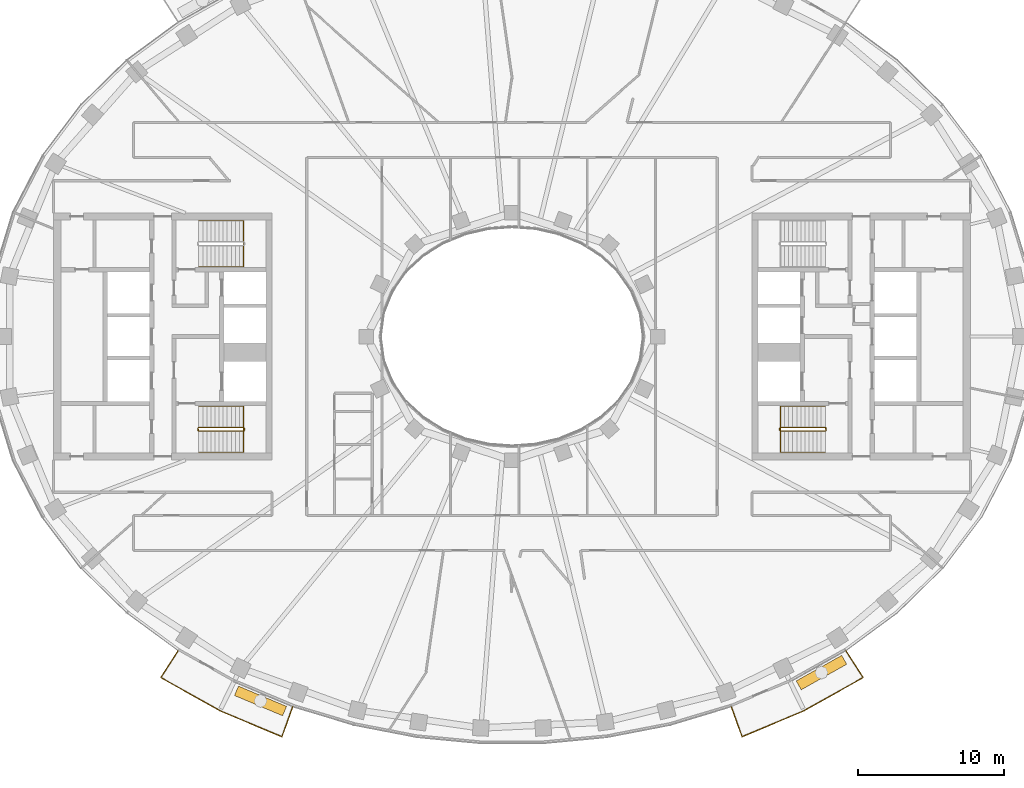
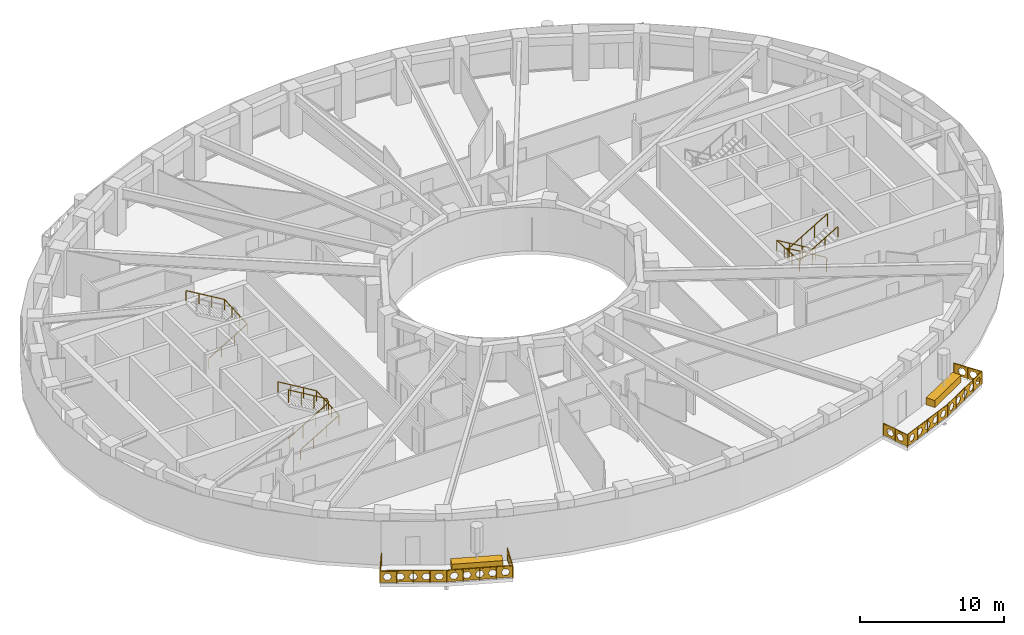
# One storey, part 13 of 15: 7 railings, 2 coverings.
"""IFC4 building model written with IfcOpenShell, lengths in metres."""

from ifc_helpers import new_model, si_unit, direction, frame, origin, origin_2d, place, context, subcontext, project, spatial, polyline, rectangle, outline, extrude, material, type_object, element, save


model = new_model("IFC4")

# Units and contexts
model_context = context("Model", 3, precision=1e-05, world=origin(), true_north=direction((0.0, 1.0)))
body_context = subcontext(model_context, "Body", "Model", "MODEL_VIEW")
ifc_project = project(units=[si_unit("LENGTHUNIT", "METRE"), si_unit("AREAUNIT", "SQUARE_METRE"), si_unit("VOLUMEUNIT", "CUBIC_METRE"), si_unit("PLANEANGLEUNIT", "RADIAN"), si_unit("MASSUNIT", "GRAM", prefix="KILO")], contexts=[model_context])

# Site, building, storey
site_placement = place(None, origin())
site = spatial("IfcSite", under=ifc_project, at=site_placement, CompositionType="ELEMENT")
building_placement = place(site_placement, origin())
building = spatial("IfcBuilding", under=site, at=building_placement, Name="Noorbagh Ring Tower", CompositionType="ELEMENT")
storey_placement = place(building_placement, frame((0.0, 0.0, 253.5)))
storey = spatial("IfcBuildingStorey", under=building, at=storey_placement, Name="L53", CompositionType="ELEMENT", Elevation=253.5)

# Railings
ifc_material_1 = material(Name="Stainless steel", Category="steel")
railing_type_1 = type_object("IfcRailingType", Name="CORE-STAIR-GUARD", PredefinedType="GUARDRAIL", material=ifc_material_1)
railing_1_placement = place(storey_placement, frame((-21.580078125, -6.449951171875, 0.0)))
element("IfcRailing", 1, at=railing_1_placement, inside=storey, type_object=railing_type_1, Name="L53 ST2 stair guard", PredefinedType="GUARDRAIL", context=body_context, shape_type="SweptSolid", body=[
    extrude(rectangle(XDim=0.048095703125, YDim=0.048095703125, at=origin_2d()), frame((0.0, 0.0, 1.076171875), z_axis=(0.0, 1.0, 0.0), x_axis=(-1.0, 0.0, 0.0)), (0.0, 0.0, 1.0), 0.14990234375),
    extrude(rectangle(XDim=0.048095703125, YDim=0.048095703125, at=origin_2d()), frame((0.0, 0.14990234375, 1.076171875), z_axis=(0.188775798145, -0.754182335027, 0.628945707965), x_axis=(0.970072785993, 0.242814311512, 0.0)), (0.0, 0.0, 1.0), 0.26513671875),
    extrude(rectangle(XDim=0.048095703125, YDim=0.048095703125, at=origin_2d()), frame((0.050048828125, -0.050048828125, 1.24267578125), z_axis=(0.859308565015, 0.0, 0.511457515432), x_axis=(0.0, 1.0, 0.0)), (0.0, 0.0, 1.0), 3.58447265625),
    extrude(rectangle(XDim=0.048095703125, YDim=0.048095703125, at=origin_2d()), frame((3.130126953125, -0.050048828125, 3.076171875), z_axis=(0.707106781187, 0.707106781187, 0.0), x_axis=(-0.707106781187, 0.707106781187, 0.0)), (0.0, 0.0, 1.0), 0.07080078125),
    extrude(rectangle(XDim=0.048095703125, YDim=0.048095703125, at=origin_2d()), frame((3.18017578125, 0.0, 3.076171875), z_axis=(0.0, 1.0, 0.0), x_axis=(-1.0, 0.0, 0.0)), (0.0, 0.0, 1.0), 0.14990234375),
    extrude(rectangle(XDim=0.048095703125, YDim=0.048095703125, at=origin_2d()), frame((3.18017578125, 0.14990234375, 3.076171875), z_axis=(-0.27628659633, 0.27628659633, 0.920506074601), x_axis=(-0.707106781187, -0.707106781187, 0.0)), (0.0, 0.0, 1.0), 0.18115234375),
    extrude(rectangle(XDim=0.048095703125, YDim=0.048095703125, at=origin_2d()), frame((3.130126953125, 0.199951171875, 3.24267578125), z_axis=(-0.859308565015, 0.0, 0.511457515432), x_axis=(0.0, -1.0, 0.0)), (0.0, 0.0, 1.0), 3.58447265625),
    extrude(rectangle(XDim=0.0419921875, YDim=0.0419921875, at=origin_2d()), origin(), (0.0, 0.0, 1.0), 1.052001953125),
    extrude(rectangle(XDim=0.0419921875, YDim=0.0419921875, at=origin_2d()), frame((1.07666015625, -0.050048828125, 0.77783203125)), (0.0, 0.0, 1.0), 1.052001953125),
    extrude(rectangle(XDim=0.0419921875, YDim=0.0419921875, at=origin_2d()), frame((2.103515625, -0.050048828125, 1.388916015625)), (0.0, 0.0, 1.0), 1.052001953125),
    extrude(rectangle(XDim=0.0419921875, YDim=0.0419921875, at=origin_2d()), frame((3.130126953125, -0.050048828125, 2.0)), (0.0, 0.0, 1.0), 1.052001953125),
    extrude(rectangle(XDim=0.0419921875, YDim=0.0419921875, at=origin_2d()), frame((3.130126953125, 0.199951171875, 2.166748046875)), (0.0, 0.0, 1.0), 1.052001953125),
    extrude(rectangle(XDim=0.0419921875, YDim=0.0419921875, at=origin_2d()), frame((2.103515625, 0.199951171875, 2.77783203125)), (0.0, 0.0, 1.0), 1.052001953125),
    extrude(rectangle(XDim=0.0419921875, YDim=0.0419921875, at=origin_2d()), frame((1.07666015625, 0.199951171875, 3.388916015625)), (0.0, 0.0, 1.0), 1.052001953125),
    extrude(rectangle(XDim=0.0419921875, YDim=0.0419921875, at=origin_2d()), frame((0.050048828125, 0.199951171875, 4.0)), (0.0, 0.0, 1.0), 1.052001953125),
])
railing_2_placement = place(storey_placement, frame((21.580078125, -6.300048828125, 0.0)))
element("IfcRailing", 2, at=railing_2_placement, inside=storey, type_object=railing_type_1, Name="L53 ST4 stair guard", PredefinedType="GUARDRAIL", context=body_context, shape_type="SweptSolid", body=[
    extrude(rectangle(XDim=0.048095703125, YDim=0.048095703125, at=origin_2d()), frame((0.0, 0.0, 1.076171875), z_axis=(0.0, -1.0, 0.0), x_axis=(1.0, 0.0, 0.0)), (0.0, 0.0, 1.0), 0.14990234375),
    extrude(rectangle(XDim=0.048095703125, YDim=0.048095703125, at=origin_2d()), frame((0.0, -0.14990234375, 1.076171875), z_axis=(-0.188775798145, 0.754182335027, 0.628945707965), x_axis=(-0.970072785993, -0.242814311512, 0.0)), (0.0, 0.0, 1.0), 0.26513671875),
    extrude(rectangle(XDim=0.048095703125, YDim=0.048095703125, at=origin_2d()), frame((-0.050048828125, 0.050048828125, 1.24267578125), z_axis=(-0.859308565015, 0.0, 0.511457515432), x_axis=(0.0, -1.0, 0.0)), (0.0, 0.0, 1.0), 3.58447265625),
    extrude(rectangle(XDim=0.048095703125, YDim=0.048095703125, at=origin_2d()), frame((-3.130126953125, 0.050048828125, 3.076171875), z_axis=(-0.707106781187, -0.707106781187, 0.0), x_axis=(0.707106781187, -0.707106781187, 0.0)), (0.0, 0.0, 1.0), 0.07080078125),
    extrude(rectangle(XDim=0.048095703125, YDim=0.048095703125, at=origin_2d()), frame((-3.18017578125, 0.0, 3.076171875), z_axis=(0.0, -1.0, 0.0), x_axis=(1.0, 0.0, 0.0)), (0.0, 0.0, 1.0), 0.14990234375),
    extrude(rectangle(XDim=0.048095703125, YDim=0.048095703125, at=origin_2d()), frame((-3.18017578125, -0.14990234375, 3.076171875), z_axis=(0.27628659633, -0.27628659633, 0.920506074601), x_axis=(0.707106781187, 0.707106781187, 0.0)), (0.0, 0.0, 1.0), 0.18115234375),
    extrude(rectangle(XDim=0.048095703125, YDim=0.048095703125, at=origin_2d()), frame((-3.130126953125, -0.199951171875, 3.24267578125), z_axis=(0.859308565015, 0.0, 0.511457515432), x_axis=(0.0, 1.0, 0.0)), (0.0, 0.0, 1.0), 3.58447265625),
    extrude(rectangle(XDim=0.0419921875, YDim=0.0419921875, at=origin_2d()), origin(), (0.0, 0.0, 1.0), 1.052001953125),
    extrude(rectangle(XDim=0.0419921875, YDim=0.0419921875, at=origin_2d()), frame((-1.07666015625, 0.050048828125, 0.77783203125)), (0.0, 0.0, 1.0), 1.052001953125),
    extrude(rectangle(XDim=0.0419921875, YDim=0.0419921875, at=origin_2d()), frame((-2.103515625, 0.050048828125, 1.388916015625)), (0.0, 0.0, 1.0), 1.052001953125),
    extrude(rectangle(XDim=0.0419921875, YDim=0.0419921875, at=origin_2d()), frame((-3.130126953125, 0.050048828125, 2.0)), (0.0, 0.0, 1.0), 1.052001953125),
    extrude(rectangle(XDim=0.0419921875, YDim=0.0419921875, at=origin_2d()), frame((-3.130126953125, -0.199951171875, 2.166748046875)), (0.0, 0.0, 1.0), 1.052001953125),
    extrude(rectangle(XDim=0.0419921875, YDim=0.0419921875, at=origin_2d()), frame((-2.103515625, -0.199951171875, 2.77783203125)), (0.0, 0.0, 1.0), 1.052001953125),
    extrude(rectangle(XDim=0.0419921875, YDim=0.0419921875, at=origin_2d()), frame((-1.07666015625, -0.199951171875, 3.388916015625)), (0.0, 0.0, 1.0), 1.052001953125),
    extrude(rectangle(XDim=0.0419921875, YDim=0.0419921875, at=origin_2d()), frame((-0.050048828125, -0.199951171875, 4.0)), (0.0, 0.0, 1.0), 1.052001953125),
])
ifc_material_2 = material(Name="Stainless steel", Category="steel")
railing_type_2 = type_object("IfcRailingType", Name="CORE-STAIR-HANDRAIL", PredefinedType="HANDRAIL", material=ifc_material_2)
railing_3_placement = place(storey_placement, frame((-21.530029296875, 4.800048828125, 0.166748046875)))
element("IfcRailing", 3, at=railing_3_placement, inside=storey, type_object=railing_type_2, Name="L53 ST1 stair handrail", PredefinedType="HANDRAIL", context=body_context, shape_type="SweptSolid", body=[
    extrude(rectangle(XDim=0.048095703125, YDim=0.048095703125, at=origin_2d()), frame((0.0, 0.0, 0.8759765625), z_axis=(0.859308565015, 0.0, 0.511457515432), x_axis=(0.0, 1.0, 0.0)), (0.0, 0.0, 1.0), 3.58447265625),
    extrude(rectangle(XDim=0.048095703125, YDim=0.048095703125, at=origin_2d()), frame((3.080078125, 0.0, 2.708984375), z_axis=(0.0, 0.998601747152, 0.052863509014), x_axis=(-1.0, 0.0, 0.0)), (0.0, 0.0, 1.0), 3.154296875),
    extrude(rectangle(XDim=0.048095703125, YDim=0.048095703125, at=origin_2d()), frame((3.080078125, 3.14990234375, 2.8759765625), z_axis=(-0.859308565015, 0.0, 0.511457515432), x_axis=(0.0, -1.0, 0.0)), (0.0, 0.0, 1.0), 3.58447265625),
    extrude(rectangle(XDim=0.0419921875, YDim=0.0419921875, at=origin_2d()), origin(), (0.0, 0.0, 1.0), 0.851806640625),
    extrude(rectangle(XDim=0.0419921875, YDim=0.0419921875, at=origin_2d()), frame((1.026611328125, 0.0, 0.611083984375)), (0.0, 0.0, 1.0), 0.851806640625),
    extrude(rectangle(XDim=0.0419921875, YDim=0.0419921875, at=origin_2d()), frame((2.053466796875, 0.0, 1.22216796875)), (0.0, 0.0, 1.0), 0.851806640625),
    extrude(rectangle(XDim=0.0419921875, YDim=0.0419921875, at=origin_2d()), frame((3.080078125, 0.0, 1.833251953125)), (0.0, 0.0, 1.0), 0.851806640625),
    extrude(rectangle(XDim=0.0419921875, YDim=0.0419921875, at=origin_2d()), frame((3.080078125, 1.050048828125, 1.888916015625)), (0.0, 0.0, 1.0), 0.851806640625),
    extrude(rectangle(XDim=0.0419921875, YDim=0.0419921875, at=origin_2d()), frame((3.080078125, 2.099853515625, 1.9443359375)), (0.0, 0.0, 1.0), 0.851806640625),
    extrude(rectangle(XDim=0.0419921875, YDim=0.0419921875, at=origin_2d()), frame((3.080078125, 3.14990234375, 2.0)), (0.0, 0.0, 1.0), 0.851806640625),
    extrude(rectangle(XDim=0.0419921875, YDim=0.0419921875, at=origin_2d()), frame((2.053466796875, 3.14990234375, 2.611083984375)), (0.0, 0.0, 1.0), 0.851806640625),
    extrude(rectangle(XDim=0.0419921875, YDim=0.0419921875, at=origin_2d()), frame((1.026611328125, 3.14990234375, 3.22216796875)), (0.0, 0.0, 1.0), 0.851806640625),
    extrude(rectangle(XDim=0.0419921875, YDim=0.0419921875, at=origin_2d()), frame((0.0, 3.14990234375, 3.833251953125)), (0.0, 0.0, 1.0), 0.851806640625),
])
railing_4_placement = place(storey_placement, frame((-21.530029296875, -7.949951171875, 0.166748046875)))
element("IfcRailing", 4, at=railing_4_placement, inside=storey, type_object=railing_type_2, Name="L53 ST2 stair handrail", PredefinedType="HANDRAIL", context=body_context, shape_type="SweptSolid", body=[
    extrude(rectangle(XDim=0.048095703125, YDim=0.048095703125, at=origin_2d()), frame((0.0, 0.0, 0.8759765625), z_axis=(0.859308565015, 0.0, 0.511457515432), x_axis=(0.0, 1.0, 0.0)), (0.0, 0.0, 1.0), 3.58447265625),
    extrude(rectangle(XDim=0.048095703125, YDim=0.048095703125, at=origin_2d()), frame((3.080078125, 0.0, 2.708984375), z_axis=(0.0, 0.998601747152, 0.052863509014), x_axis=(-1.0, 0.0, 0.0)), (0.0, 0.0, 1.0), 3.154296875),
    extrude(rectangle(XDim=0.048095703125, YDim=0.048095703125, at=origin_2d()), frame((3.080078125, 3.14990234375, 2.8759765625), z_axis=(-0.859308565015, 0.0, 0.511457515432), x_axis=(0.0, -1.0, 0.0)), (0.0, 0.0, 1.0), 3.58447265625),
    extrude(rectangle(XDim=0.0419921875, YDim=0.0419921875, at=origin_2d()), origin(), (0.0, 0.0, 1.0), 0.851806640625),
    extrude(rectangle(XDim=0.0419921875, YDim=0.0419921875, at=origin_2d()), frame((1.026611328125, 0.0, 0.611083984375)), (0.0, 0.0, 1.0), 0.851806640625),
    extrude(rectangle(XDim=0.0419921875, YDim=0.0419921875, at=origin_2d()), frame((2.053466796875, 0.0, 1.22216796875)), (0.0, 0.0, 1.0), 0.851806640625),
    extrude(rectangle(XDim=0.0419921875, YDim=0.0419921875, at=origin_2d()), frame((3.080078125, 0.0, 1.833251953125)), (0.0, 0.0, 1.0), 0.851806640625),
    extrude(rectangle(XDim=0.0419921875, YDim=0.0419921875, at=origin_2d()), frame((3.080078125, 1.050048828125, 1.888916015625)), (0.0, 0.0, 1.0), 0.851806640625),
    extrude(rectangle(XDim=0.0419921875, YDim=0.0419921875, at=origin_2d()), frame((3.080078125, 2.099853515625, 1.9443359375)), (0.0, 0.0, 1.0), 0.851806640625),
    extrude(rectangle(XDim=0.0419921875, YDim=0.0419921875, at=origin_2d()), frame((3.080078125, 3.14990234375, 2.0)), (0.0, 0.0, 1.0), 0.851806640625),
    extrude(rectangle(XDim=0.0419921875, YDim=0.0419921875, at=origin_2d()), frame((2.053466796875, 3.14990234375, 2.611083984375)), (0.0, 0.0, 1.0), 0.851806640625),
    extrude(rectangle(XDim=0.0419921875, YDim=0.0419921875, at=origin_2d()), frame((1.026611328125, 3.14990234375, 3.22216796875)), (0.0, 0.0, 1.0), 0.851806640625),
    extrude(rectangle(XDim=0.0419921875, YDim=0.0419921875, at=origin_2d()), frame((0.0, 3.14990234375, 3.833251953125)), (0.0, 0.0, 1.0), 0.851806640625),
])
railing_5_placement = place(storey_placement, frame((21.530029296875, -4.800048828125, 0.166748046875)))
element("IfcRailing", 5, at=railing_5_placement, inside=storey, type_object=railing_type_2, Name="L53 ST4 stair handrail", PredefinedType="HANDRAIL", context=body_context, shape_type="SweptSolid", body=[
    extrude(rectangle(XDim=0.048095703125, YDim=0.048095703125, at=origin_2d()), frame((0.0, 0.0, 0.8759765625), z_axis=(-0.859308565015, 0.0, 0.511457515432), x_axis=(0.0, -1.0, 0.0)), (0.0, 0.0, 1.0), 3.58447265625),
    extrude(rectangle(XDim=0.048095703125, YDim=0.048095703125, at=origin_2d()), frame((-3.080078125, 0.0, 2.708984375), z_axis=(0.0, -0.998601747152, 0.052863509014), x_axis=(1.0, 0.0, 0.0)), (0.0, 0.0, 1.0), 3.154296875),
    extrude(rectangle(XDim=0.048095703125, YDim=0.048095703125, at=origin_2d()), frame((-3.080078125, -3.14990234375, 2.8759765625), z_axis=(0.859308565015, 0.0, 0.511457515432), x_axis=(0.0, 1.0, 0.0)), (0.0, 0.0, 1.0), 3.58447265625),
    extrude(rectangle(XDim=0.0419921875, YDim=0.0419921875, at=origin_2d()), origin(), (0.0, 0.0, 1.0), 0.851806640625),
    extrude(rectangle(XDim=0.0419921875, YDim=0.0419921875, at=origin_2d()), frame((-1.026611328125, 0.0, 0.611083984375)), (0.0, 0.0, 1.0), 0.851806640625),
    extrude(rectangle(XDim=0.0419921875, YDim=0.0419921875, at=origin_2d()), frame((-2.053466796875, 0.0, 1.22216796875)), (0.0, 0.0, 1.0), 0.851806640625),
    extrude(rectangle(XDim=0.0419921875, YDim=0.0419921875, at=origin_2d()), frame((-3.080078125, 0.0, 1.833251953125)), (0.0, 0.0, 1.0), 0.851806640625),
    extrude(rectangle(XDim=0.0419921875, YDim=0.0419921875, at=origin_2d()), frame((-3.080078125, -1.050048828125, 1.888916015625)), (0.0, 0.0, 1.0), 0.851806640625),
    extrude(rectangle(XDim=0.0419921875, YDim=0.0419921875, at=origin_2d()), frame((-3.080078125, -2.099853515625, 1.9443359375)), (0.0, 0.0, 1.0), 0.851806640625),
    extrude(rectangle(XDim=0.0419921875, YDim=0.0419921875, at=origin_2d()), frame((-3.080078125, -3.14990234375, 2.0)), (0.0, 0.0, 1.0), 0.851806640625),
    extrude(rectangle(XDim=0.0419921875, YDim=0.0419921875, at=origin_2d()), frame((-2.053466796875, -3.14990234375, 2.611083984375)), (0.0, 0.0, 1.0), 0.851806640625),
    extrude(rectangle(XDim=0.0419921875, YDim=0.0419921875, at=origin_2d()), frame((-1.026611328125, -3.14990234375, 3.22216796875)), (0.0, 0.0, 1.0), 0.851806640625),
    extrude(rectangle(XDim=0.0419921875, YDim=0.0419921875, at=origin_2d()), frame((0.0, -3.14990234375, 3.833251953125)), (0.0, 0.0, 1.0), 0.851806640625),
])
ifc_material_3 = material(Name="Steel S275 black powder-coated", Category="steel")
railing_type_3 = type_object("IfcRailingType", Name="ENV-GUARD", PredefinedType="GUARDRAIL", material=ifc_material_3)
railing_6_placement = place(storey_placement, frame((-22.9326171875, -21.583740234375, 0.0)))
element("IfcRailing", 6, at=railing_6_placement, inside=storey, type_object=railing_type_3, Name="Balcony guard BS02", PredefinedType="GUARDRAIL", context=body_context, shape_type="SweptSolid", body=[
    extrude(rectangle(XDim=0.048095703125, YDim=0.048095703125, at=origin_2d()), frame((0.0, 0.0, 1.076171875), z_axis=(-0.542268136821, -0.840205491406, 0.0), x_axis=(0.840205491406, -0.542268136821, 0.0)), (0.0, 0.0, 1.0), 2.204345703125),
    extrude(rectangle(XDim=0.048095703125, YDim=0.048095703125, at=origin_2d()), frame((-1.1953125, -1.85205078125, 1.076171875), z_axis=(0.872052247658, -0.489412788303, 0.0), x_axis=(0.489412788303, 0.872052247658, 0.0)), (0.0, 0.0, 1.0), 4.646240234375),
    extrude(rectangle(XDim=0.048095703125, YDim=0.048095703125, at=origin_2d()), frame((2.8564453125, -4.1259765625, 1.076171875), z_axis=(0.921809087722, -0.387644174203, 0.0), x_axis=(0.387644174203, 0.921809087722, 0.0)), (0.0, 0.0, 1.0), 4.627197265625),
    extrude(rectangle(XDim=0.048095703125, YDim=0.048095703125, at=origin_2d()), frame((7.121826171875, -5.919677734375, 1.076171875), z_axis=(0.338350546839, 0.941020141896, 0.0), x_axis=(-0.941020141896, 0.338350546839, 0.0)), (0.0, 0.0, 1.0), 2.202880859375),
    extrude(rectangle(XDim=0.0419921875, YDim=0.0419921875, at=origin_2d()), origin(), (0.0, 0.0, 1.0), 1.052001953125),
    extrude(rectangle(XDim=0.0419921875, YDim=0.0419921875, at=origin_2d()), frame((-0.59765625, -0.926025390625, 0.0)), (0.0, 0.0, 1.0), 1.052001953125),
    extrude(rectangle(XDim=0.0419921875, YDim=0.0419921875, at=origin_2d()), frame((-1.1953125, -1.85205078125, 0.0)), (0.0, 0.0, 1.0), 1.052001953125),
    extrude(rectangle(XDim=0.0419921875, YDim=0.0419921875, at=origin_2d()), frame((-0.182373046875, -2.42041015625, 0.0)), (0.0, 0.0, 1.0), 1.052001953125),
    extrude(rectangle(XDim=0.0419921875, YDim=0.0419921875, at=origin_2d()), frame((0.83056640625, -2.989013671875, 0.0)), (0.0, 0.0, 1.0), 1.052001953125),
    extrude(rectangle(XDim=0.0419921875, YDim=0.0419921875, at=origin_2d()), frame((1.843505859375, -3.5576171875, 0.0)), (0.0, 0.0, 1.0), 1.052001953125),
    extrude(rectangle(XDim=0.0419921875, YDim=0.0419921875, at=origin_2d()), frame((2.8564453125, -4.1259765625, 0.0)), (0.0, 0.0, 1.0), 1.052001953125),
    extrude(rectangle(XDim=0.0419921875, YDim=0.0419921875, at=origin_2d()), frame((3.9228515625, -4.574462890625, 0.0)), (0.0, 0.0, 1.0), 1.052001953125),
    extrude(rectangle(XDim=0.0419921875, YDim=0.0419921875, at=origin_2d()), frame((4.9892578125, -5.02294921875, 0.0)), (0.0, 0.0, 1.0), 1.052001953125),
    extrude(rectangle(XDim=0.0419921875, YDim=0.0419921875, at=origin_2d()), frame((6.055419921875, -5.47119140625, 0.0)), (0.0, 0.0, 1.0), 1.052001953125),
    extrude(rectangle(XDim=0.0419921875, YDim=0.0419921875, at=origin_2d()), frame((7.121826171875, -5.919677734375, 0.0)), (0.0, 0.0, 1.0), 1.052001953125),
    extrude(rectangle(XDim=0.0419921875, YDim=0.0419921875, at=origin_2d()), frame((7.49462890625, -4.88330078125, 0.0)), (0.0, 0.0, 1.0), 1.052001953125),
    extrude(rectangle(XDim=0.0419921875, YDim=0.0419921875, at=origin_2d()), frame((7.8671875, -3.8466796875, 0.0)), (0.0, 0.0, 1.0), 1.052001953125),
    extrude(outline(polyline([(0.0, 0.10009765625), (2.204345703125, 0.10009765625), (2.204345703125, 1.031982421875), (0.0, 1.031982421875), (0.0, 0.10009765625)]), holes=[polyline([(0.962158203125, 0.56591796875), (0.80712890625, 0.83447265625), (0.4970703125, 0.83447265625), (0.342041015625, 0.56591796875), (0.4970703125, 0.297607421875), (0.80712890625, 0.297607421875), (0.962158203125, 0.56591796875)]), polyline([(1.862060546875, 0.56591796875), (1.70703125, 0.83447265625), (1.397216796875, 0.83447265625), (1.2421875, 0.56591796875), (1.397216796875, 0.297607421875), (1.70703125, 0.297607421875), (1.862060546875, 0.56591796875)])]), frame((0.00830078125, -0.00537109375, 0.0), z_axis=(-0.840205491406, 0.542268136821, 0.0), x_axis=(-0.542268136821, -0.840205491406, 0.0)), (0.0, 0.0, 1.0), 0.02001953125),
    extrude(outline(polyline([(0.0, 0.10009765625), (4.646240234375, 0.10009765625), (4.646240234375, 1.031982421875), (0.0, 1.031982421875), (0.0, 0.10009765625)]), holes=[polyline([(0.8330078125, 0.56591796875), (0.67822265625, 0.83447265625), (0.3681640625, 0.83447265625), (0.213134765625, 0.56591796875), (0.3681640625, 0.297607421875), (0.67822265625, 0.297607421875), (0.8330078125, 0.56591796875)]), polyline([(1.733154296875, 0.56591796875), (1.578125, 0.83447265625), (1.26806640625, 0.83447265625), (1.113037109375, 0.56591796875), (1.26806640625, 0.297607421875), (1.578125, 0.297607421875), (1.733154296875, 0.56591796875)]), polyline([(2.633056640625, 0.56591796875), (2.47802734375, 0.83447265625), (2.168212890625, 0.83447265625), (2.01318359375, 0.56591796875), (2.168212890625, 0.297607421875), (2.47802734375, 0.297607421875), (2.633056640625, 0.56591796875)]), polyline([(3.533203125, 0.56591796875), (3.378173828125, 0.83447265625), (3.068115234375, 0.83447265625), (2.9130859375, 0.56591796875), (3.068115234375, 0.297607421875), (3.378173828125, 0.297607421875), (3.533203125, 0.56591796875)]), polyline([(4.43310546875, 0.56591796875), (4.278076171875, 0.83447265625), (3.968017578125, 0.83447265625), (3.813232421875, 0.56591796875), (3.968017578125, 0.297607421875), (4.278076171875, 0.297607421875), (4.43310546875, 0.56591796875)])]), frame((-1.1904296875, -1.84326171875, 0.0), z_axis=(-0.489412788303, -0.872052247658, 0.0), x_axis=(0.872052247658, -0.489412788303, 0.0)), (0.0, 0.0, 1.0), 0.02001953125),
    extrude(outline(polyline([(0.0, 0.10009765625), (4.627197265625, 0.10009765625), (4.627197265625, 1.031982421875), (0.0, 1.031982421875), (0.0, 0.10009765625)]), holes=[polyline([(0.823486328125, 0.56591796875), (0.668701171875, 0.83447265625), (0.358642578125, 0.83447265625), (0.20361328125, 0.56591796875), (0.358642578125, 0.297607421875), (0.668701171875, 0.297607421875), (0.823486328125, 0.56591796875)]), polyline([(1.7236328125, 0.56591796875), (1.568603515625, 0.83447265625), (1.258544921875, 0.83447265625), (1.103515625, 0.56591796875), (1.258544921875, 0.297607421875), (1.568603515625, 0.297607421875), (1.7236328125, 0.56591796875)]), polyline([(2.62353515625, 0.56591796875), (2.468505859375, 0.83447265625), (2.15869140625, 0.83447265625), (2.003662109375, 0.56591796875), (2.15869140625, 0.297607421875), (2.468505859375, 0.297607421875), (2.62353515625, 0.56591796875)]), polyline([(3.523681640625, 0.56591796875), (3.36865234375, 0.83447265625), (3.05859375, 0.83447265625), (2.903564453125, 0.56591796875), (3.05859375, 0.297607421875), (3.36865234375, 0.297607421875), (3.523681640625, 0.56591796875)]), polyline([(4.423583984375, 0.56591796875), (4.2685546875, 0.83447265625), (3.95849609375, 0.83447265625), (3.8037109375, 0.56591796875), (3.95849609375, 0.297607421875), (4.2685546875, 0.297607421875), (4.423583984375, 0.56591796875)])]), frame((2.8603515625, -4.11669921875, 0.0), z_axis=(-0.387644174203, -0.921809087722, 0.0), x_axis=(0.921809087722, -0.387644174203, 0.0)), (0.0, 0.0, 1.0), 0.02001953125),
    extrude(outline(polyline([(0.0, 0.10009765625), (2.202880859375, 0.10009765625), (2.202880859375, 1.031982421875), (0.0, 1.031982421875), (0.0, 0.10009765625)]), holes=[polyline([(0.96142578125, 0.56591796875), (0.806396484375, 0.83447265625), (0.49658203125, 0.83447265625), (0.341552734375, 0.56591796875), (0.49658203125, 0.297607421875), (0.806396484375, 0.297607421875), (0.96142578125, 0.56591796875)]), polyline([(1.861572265625, 0.56591796875), (1.70654296875, 0.83447265625), (1.396484375, 0.83447265625), (1.241455078125, 0.56591796875), (1.396484375, 0.297607421875), (1.70654296875, 0.297607421875), (1.861572265625, 0.56591796875)])]), frame((7.1123046875, -5.916259765625, 0.0), z_axis=(0.941020141896, -0.338350546839, 0.0), x_axis=(0.338350546839, 0.941020141896, 0.0)), (0.0, 0.0, 1.0), 0.02001953125),
])
railing_7_placement = place(storey_placement, frame((15.0654296875, -25.430419921875, 0.0)))
element("IfcRailing", 7, at=railing_7_placement, inside=storey, type_object=railing_type_3, Name="Balcony guard BS05", PredefinedType="GUARDRAIL", context=body_context, shape_type="SweptSolid", body=[
    extrude(rectangle(XDim=0.048095703125, YDim=0.048095703125, at=origin_2d()), frame((0.0, 0.0, 1.076171875), z_axis=(0.338350546839, -0.941020141896, 0.0), x_axis=(0.941020141896, 0.338350546839, 0.0)), (0.0, 0.0, 1.0), 2.202880859375),
    extrude(rectangle(XDim=0.048095703125, YDim=0.048095703125, at=origin_2d()), frame((0.745361328125, -2.072998046875, 1.076171875), z_axis=(0.921809087722, 0.387644174203, 0.0), x_axis=(-0.387644174203, 0.921809087722, 0.0)), (0.0, 0.0, 1.0), 4.627197265625),
    extrude(rectangle(XDim=0.048095703125, YDim=0.048095703125, at=origin_2d()), frame((5.0107421875, -0.279296875, 1.076171875), z_axis=(0.872052247658, 0.489412788303, 0.0), x_axis=(-0.489412788303, 0.872052247658, 0.0)), (0.0, 0.0, 1.0), 4.646240234375),
    extrude(rectangle(XDim=0.048095703125, YDim=0.048095703125, at=origin_2d()), frame((9.0625, 1.99462890625, 1.076171875), z_axis=(-0.542268136821, 0.840205491406, 0.0), x_axis=(-0.840205491406, -0.542268136821, 0.0)), (0.0, 0.0, 1.0), 2.204345703125),
    extrude(rectangle(XDim=0.0419921875, YDim=0.0419921875, at=origin_2d()), origin(), (0.0, 0.0, 1.0), 1.052001953125),
    extrude(rectangle(XDim=0.0419921875, YDim=0.0419921875, at=origin_2d()), frame((0.37255859375, -1.03662109375, 0.0)), (0.0, 0.0, 1.0), 1.052001953125),
    extrude(rectangle(XDim=0.0419921875, YDim=0.0419921875, at=origin_2d()), frame((0.745361328125, -2.072998046875, 0.0)), (0.0, 0.0, 1.0), 1.052001953125),
    extrude(rectangle(XDim=0.0419921875, YDim=0.0419921875, at=origin_2d()), frame((1.811767578125, -1.62451171875, 0.0)), (0.0, 0.0, 1.0), 1.052001953125),
    extrude(rectangle(XDim=0.0419921875, YDim=0.0419921875, at=origin_2d()), frame((2.8779296875, -1.17626953125, 0.0)), (0.0, 0.0, 1.0), 1.052001953125),
    extrude(rectangle(XDim=0.0419921875, YDim=0.0419921875, at=origin_2d()), frame((3.9443359375, -0.727783203125, 0.0)), (0.0, 0.0, 1.0), 1.052001953125),
    extrude(rectangle(XDim=0.0419921875, YDim=0.0419921875, at=origin_2d()), frame((5.0107421875, -0.279296875, 0.0)), (0.0, 0.0, 1.0), 1.052001953125),
    extrude(rectangle(XDim=0.0419921875, YDim=0.0419921875, at=origin_2d()), frame((6.023681640625, 0.2890625, 0.0)), (0.0, 0.0, 1.0), 1.052001953125),
    extrude(rectangle(XDim=0.0419921875, YDim=0.0419921875, at=origin_2d()), frame((7.03662109375, 0.857666015625, 0.0)), (0.0, 0.0, 1.0), 1.052001953125),
    extrude(rectangle(XDim=0.0419921875, YDim=0.0419921875, at=origin_2d()), frame((8.049560546875, 1.42626953125, 0.0)), (0.0, 0.0, 1.0), 1.052001953125),
    extrude(rectangle(XDim=0.0419921875, YDim=0.0419921875, at=origin_2d()), frame((9.0625, 1.99462890625, 0.0)), (0.0, 0.0, 1.0), 1.052001953125),
    extrude(rectangle(XDim=0.0419921875, YDim=0.0419921875, at=origin_2d()), frame((8.46484375, 2.920654296875, 0.0)), (0.0, 0.0, 1.0), 1.052001953125),
    extrude(rectangle(XDim=0.0419921875, YDim=0.0419921875, at=origin_2d()), frame((7.8671875, 3.8466796875, 0.0)), (0.0, 0.0, 1.0), 1.052001953125),
    extrude(outline(polyline([(0.0, 0.10009765625), (2.202880859375, 0.10009765625), (2.202880859375, 1.031982421875), (0.0, 1.031982421875), (0.0, 0.10009765625)]), holes=[polyline([(0.96142578125, 0.56591796875), (0.806396484375, 0.83447265625), (0.49658203125, 0.83447265625), (0.341552734375, 0.56591796875), (0.49658203125, 0.297607421875), (0.806396484375, 0.297607421875), (0.96142578125, 0.56591796875)]), polyline([(1.861572265625, 0.56591796875), (1.70654296875, 0.83447265625), (1.396484375, 0.83447265625), (1.241455078125, 0.56591796875), (1.396484375, 0.297607421875), (1.70654296875, 0.297607421875), (1.861572265625, 0.56591796875)])]), frame((0.009521484375, 0.00341796875, 0.0), z_axis=(-0.941020141896, -0.338350546839, 0.0), x_axis=(0.338350546839, -0.941020141896, 0.0)), (0.0, 0.0, 1.0), 0.02001953125),
    extrude(outline(polyline([(0.0, 0.10009765625), (4.627197265625, 0.10009765625), (4.627197265625, 1.031982421875), (0.0, 1.031982421875), (0.0, 0.10009765625)]), holes=[polyline([(0.823486328125, 0.56591796875), (0.668701171875, 0.83447265625), (0.358642578125, 0.83447265625), (0.20361328125, 0.56591796875), (0.358642578125, 0.297607421875), (0.668701171875, 0.297607421875), (0.823486328125, 0.56591796875)]), polyline([(1.7236328125, 0.56591796875), (1.568603515625, 0.83447265625), (1.258544921875, 0.83447265625), (1.103515625, 0.56591796875), (1.258544921875, 0.297607421875), (1.568603515625, 0.297607421875), (1.7236328125, 0.56591796875)]), polyline([(2.62353515625, 0.56591796875), (2.468505859375, 0.83447265625), (2.15869140625, 0.83447265625), (2.003662109375, 0.56591796875), (2.15869140625, 0.297607421875), (2.468505859375, 0.297607421875), (2.62353515625, 0.56591796875)]), polyline([(3.523681640625, 0.56591796875), (3.36865234375, 0.83447265625), (3.05859375, 0.83447265625), (2.903564453125, 0.56591796875), (3.05859375, 0.297607421875), (3.36865234375, 0.297607421875), (3.523681640625, 0.56591796875)]), polyline([(4.423583984375, 0.56591796875), (4.2685546875, 0.83447265625), (3.95849609375, 0.83447265625), (3.8037109375, 0.56591796875), (3.95849609375, 0.297607421875), (4.2685546875, 0.297607421875), (4.423583984375, 0.56591796875)])]), frame((0.741455078125, -2.063720703125, 0.0), z_axis=(0.387644174203, -0.921809087722, 0.0), x_axis=(0.921809087722, 0.387644174203, 0.0)), (0.0, 0.0, 1.0), 0.02001953125),
    extrude(outline(polyline([(0.0, 0.10009765625), (4.646240234375, 0.10009765625), (4.646240234375, 1.031982421875), (0.0, 1.031982421875), (0.0, 0.10009765625)]), holes=[polyline([(0.8330078125, 0.56591796875), (0.67822265625, 0.83447265625), (0.3681640625, 0.83447265625), (0.213134765625, 0.56591796875), (0.3681640625, 0.297607421875), (0.67822265625, 0.297607421875), (0.8330078125, 0.56591796875)]), polyline([(1.733154296875, 0.56591796875), (1.578125, 0.83447265625), (1.26806640625, 0.83447265625), (1.113037109375, 0.56591796875), (1.26806640625, 0.297607421875), (1.578125, 0.297607421875), (1.733154296875, 0.56591796875)]), polyline([(2.633056640625, 0.56591796875), (2.47802734375, 0.83447265625), (2.168212890625, 0.83447265625), (2.01318359375, 0.56591796875), (2.168212890625, 0.297607421875), (2.47802734375, 0.297607421875), (2.633056640625, 0.56591796875)]), polyline([(3.533203125, 0.56591796875), (3.378173828125, 0.83447265625), (3.068115234375, 0.83447265625), (2.9130859375, 0.56591796875), (3.068115234375, 0.297607421875), (3.378173828125, 0.297607421875), (3.533203125, 0.56591796875)]), polyline([(4.43310546875, 0.56591796875), (4.278076171875, 0.83447265625), (3.968017578125, 0.83447265625), (3.813232421875, 0.56591796875), (3.968017578125, 0.297607421875), (4.278076171875, 0.297607421875), (4.43310546875, 0.56591796875)])]), frame((5.005859375, -0.2705078125, 0.0), z_axis=(0.489412788303, -0.872052247658, 0.0), x_axis=(0.872052247658, 0.489412788303, 0.0)), (0.0, 0.0, 1.0), 0.02001953125),
    extrude(outline(polyline([(0.0, 0.10009765625), (2.204345703125, 0.10009765625), (2.204345703125, 1.031982421875), (0.0, 1.031982421875), (0.0, 0.10009765625)]), holes=[polyline([(0.962158203125, 0.56591796875), (0.80712890625, 0.83447265625), (0.4970703125, 0.83447265625), (0.342041015625, 0.56591796875), (0.4970703125, 0.297607421875), (0.80712890625, 0.297607421875), (0.962158203125, 0.56591796875)]), polyline([(1.862060546875, 0.56591796875), (1.70703125, 0.83447265625), (1.397216796875, 0.83447265625), (1.2421875, 0.56591796875), (1.397216796875, 0.297607421875), (1.70703125, 0.297607421875), (1.862060546875, 0.56591796875)])]), frame((9.05419921875, 1.9892578125, 0.0), z_axis=(0.840205491406, 0.542268136821, 0.0), x_axis=(-0.542268136821, 0.840205491406, 0.0)), (0.0, 0.0, 1.0), 0.02001953125),
])

# Coverings
ifc_material_4 = material(Name="Concrete C30/37 planter with soil", Category="concrete")
covering_type = type_object("IfcCoveringType", Name="ENV-PLANTER", PredefinedType="CLADDING", material=ifc_material_4)
covering_1_placement = place(storey_placement, frame((-17.280517578125, -25.041259765625, 0.0), z_axis=(0.0, 0.0, 1.0), x_axis=(0.921811566494, -0.387638279686, 0.0)))
element("IfcCovering", 8, at=covering_1_placement, inside=storey, type_object=covering_type, Name="PLANTER BS02", ObjectType="PLANTER", PredefinedType="CLADDING", context=body_context, shape_type="SweptSolid", body=[
    extrude(rectangle(XDim=3.5859375, YDim=0.699951171875, at=origin_2d()), origin(), (0.0, 0.0, 1.0), 0.60009765625),
])
covering_2_placement = place(storey_placement, frame((21.26513671875, -23.093017578125, 0.0), z_axis=(0.0, 0.0, 1.0), x_axis=(0.872044586249, 0.48942643941, 0.0)))
element("IfcCovering", 9, at=covering_2_placement, inside=storey, type_object=covering_type, Name="PLANTER BS05", ObjectType="PLANTER", PredefinedType="CLADDING", context=body_context, shape_type="SweptSolid", body=[
    extrude(rectangle(XDim=3.58544921875, YDim=0.699951171875, at=origin_2d()), origin(), (0.0, 0.0, 1.0), 0.60009765625),
])

save(model, "model.ifc")
